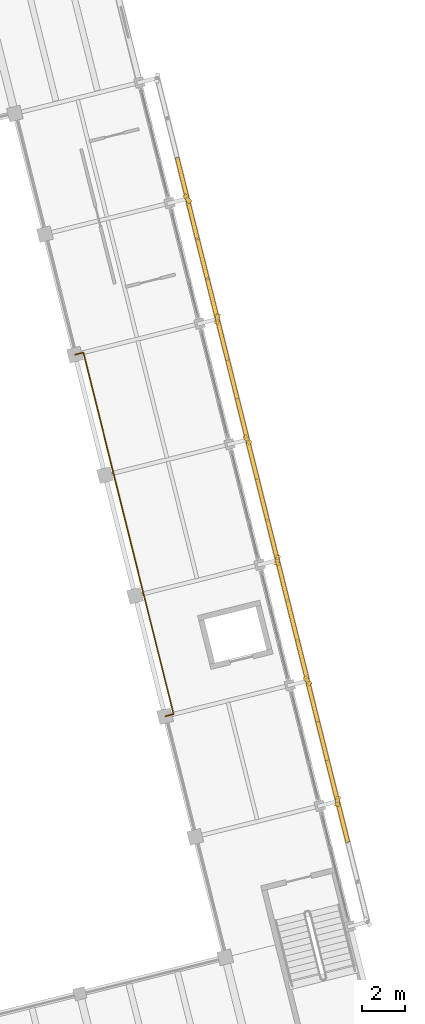
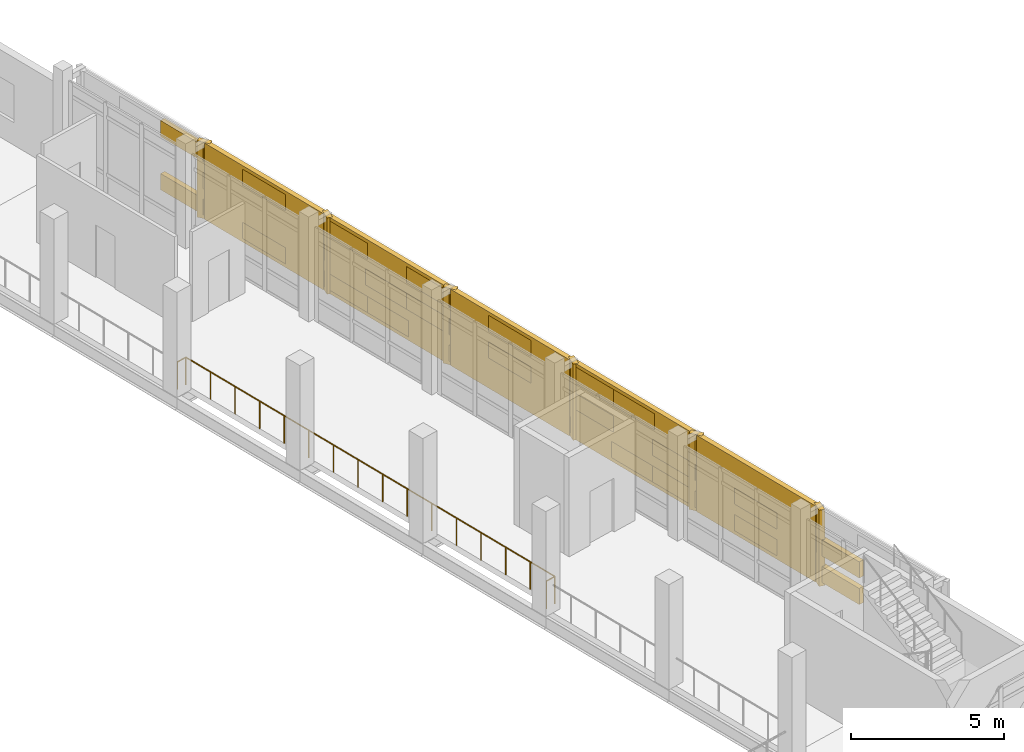
# One storey, part 124 of 137: 40 coverings, 5 shading devices, 3 railings.
"""IFC4 building model written with IfcOpenShell, lengths in metres."""

from ifc_helpers import new_model, si_unit, direction, frame, origin, origin_2d, place, context, subcontext, project, spatial, rectangle, circle, extrude, material, layer, layer_set, type_object, element, save


model = new_model("IFC4")

# Units and contexts
model_context = context("Model", 3, precision=1e-05, world=origin(), true_north=direction((0.0, 1.0)))
body_context = subcontext(model_context, "Body", "Model", "MODEL_VIEW")
ifc_project = project(units=[si_unit("LENGTHUNIT", "METRE"), si_unit("AREAUNIT", "SQUARE_METRE"), si_unit("VOLUMEUNIT", "CUBIC_METRE"), si_unit("PLANEANGLEUNIT", "RADIAN"), si_unit("MASSUNIT", "GRAM", prefix="KILO")], contexts=[model_context])

# Site, building, storey
site_placement = place(None, origin())
site = spatial("IfcSite", under=ifc_project, at=site_placement, CompositionType="ELEMENT")
building_placement = place(site_placement, origin())
building = spatial("IfcBuilding", under=site, at=building_placement, Name="Cinderway Yard Community Centre", CompositionType="ELEMENT")
storey_placement = place(building_placement, frame((0.0, 0.0, 4.800048828125)))
storey = spatial("IfcBuildingStorey", under=building, at=storey_placement, Name="L01", CompositionType="ELEMENT", Elevation=4.800048828125)

# Coverings
ifc_material_1 = material(Name="Brick Masonry", Category="masonry")
ifc_layer = layer(ifc_material_1, 0.18994140625, Name="Brick Masonry")
ifc_layer_set = layer_set([ifc_layer], Name="Brick Masonry")
covering_type = type_object("IfcCoveringType", Name="ENV-COV-BRK-SCREEN", PredefinedType="CLADDING", material=ifc_layer_set)
for number, where, z_axis, x_axis, name in (
    (1, (52.220947265625, 39.176025390625, 0.64990234375), (0.0, 0.0, 1.0), (-0.173648177667, -0.984807753012, 0.0), "Deconstructivist folded brick fin 1064"),
    (2, (50.818115234375, 44.803955078125, 0.64990234375), (0.0, 0.0, 1.0), (0.615661475326, -0.788010753607, 0.0), "Deconstructivist folded brick fin 1065"),
    (3, (49.4150390625, 50.430908203125, 0.64990234375), (0.0, 0.0, 1.0), (-0.173648177667, -0.984807753012, 0.0), "Deconstructivist folded brick fin 1066"),
    (4, (48.011962890625, 56.05908203125, 0.64990234375), (0.0, 0.0, 1.0), (0.615661475326, -0.788010753607, 0.0), "Deconstructivist folded brick fin 1067"),
    (5, (46.60888671875, 61.68701171875, 0.64990234375), (0.0, 0.0, 1.0), (-0.173648177667, -0.984807753012, 0.0), "Deconstructivist folded brick fin 1068"),
    (6, (45.2060546875, 67.31396484375, 0.64990234375), (0.0, 0.0, 1.0), (0.615661475326, -0.788010753607, 0.0), "Deconstructivist folded brick fin 1069"),
):
    element("IfcCovering", number, at=place(storey_placement, frame(where, z_axis=z_axis, x_axis=x_axis)), inside=storey, type_object=covering_type, Name=name, PredefinedType="CLADDING", context=body_context, shape_type="SweptSolid", body=[
        extrude(rectangle(XDim=0.4599609375, YDim=0.199951171875, at=origin_2d()), origin(), (0.0, 0.0, 1.0), 3.050048828125),
    ])
for number, where, z_axis, x_axis, name in (
    (7, (52.455078125, 38.238037109375, 0.7900390625), (0.0, 0.0, 1.0), (0.2419218956, -0.970295726276, 0.0), "Open-bond perforated brick screen course 01072"),
    (8, (52.455078125, 38.238037109375, 1.85205078125), (0.0, 0.0, 1.0), (0.2419218956, -0.970295726276, 0.0), "Open-bond perforated brick screen course 01074"),
    (9, (51.51904296875, 41.989990234375, 0.7900390625), (0.0, 0.0, 1.0), (0.2419218956, -0.970295726276, 0.0), "Open-bond perforated brick screen course 01077"),
    (10, (51.052001953125, 43.865966796875, 0.7900390625), (0.0, 0.0, 1.0), (0.2419218956, -0.970295726276, 0.0), "Open-bond perforated brick screen course 01078"),
    (11, (51.987060546875, 40.114013671875, 1.85205078125), (0.0, 0.0, 1.0), (0.2419218956, -0.970295726276, 0.0), "Open-bond perforated brick screen course 01079"),
    (12, (51.51904296875, 41.989990234375, 1.85205078125), (0.0, 0.0, 1.0), (0.2419218956, -0.970295726276, 0.0), "Open-bond perforated brick screen course 01080"),
    (13, (51.987060546875, 40.114013671875, 2.9140625), (0.0, 0.0, 1.0), (0.2419218956, -0.970295726276, 0.0), "Open-bond perforated brick screen course 01081"),
    (14, (51.052001953125, 43.865966796875, 2.9140625), (0.0, 0.0, 1.0), (0.2419218956, -0.970295726276, 0.0), "Open-bond perforated brick screen course 01082"),
    (15, (50.583984375, 45.741943359375, 0.7900390625), (0.0, 0.0, 1.0), (0.2419218956, -0.970295726276, 0.0), "Open-bond perforated brick screen course 01083"),
    (16, (50.116943359375, 47.616943359375, 0.7900390625), (0.0, 0.0, 1.0), (0.2419218956, -0.970295726276, 0.0), "Open-bond perforated brick screen course 01084"),
    (17, (50.583984375, 45.741943359375, 1.85205078125), (0.0, 0.0, 1.0), (0.2419218956, -0.970295726276, 0.0), "Open-bond perforated brick screen course 01085"),
    (18, (49.64892578125, 49.492919921875, 1.85205078125), (0.0, 0.0, 1.0), (0.2419218956, -0.970295726276, 0.0), "Open-bond perforated brick screen course 01086"),
    (19, (50.116943359375, 47.616943359375, 2.9140625), (0.0, 0.0, 1.0), (0.2419218956, -0.970295726276, 0.0), "Open-bond perforated brick screen course 01087"),
    (20, (49.64892578125, 49.492919921875, 2.9140625), (0.0, 0.0, 1.0), (0.2419218956, -0.970295726276, 0.0), "Open-bond perforated brick screen course 01088"),
    (21, (49.180908203125, 51.368896484375, 0.7900390625), (0.0, 0.0, 1.0), (0.2419218956, -0.970295726276, 0.0), "Open-bond perforated brick screen course 01089"),
    (22, (48.24609375, 55.12109375, 0.7900390625), (0.0, 0.0, 1.0), (0.2419218956, -0.970295726276, 0.0), "Open-bond perforated brick screen course 01090"),
    (23, (48.712890625, 53.2451171875, 1.85205078125), (0.0, 0.0, 1.0), (0.2419218956, -0.970295726276, 0.0), "Open-bond perforated brick screen course 01091"),
    (24, (48.24609375, 55.12109375, 1.85205078125), (0.0, 0.0, 1.0), (0.2419218956, -0.970295726276, 0.0), "Open-bond perforated brick screen course 01092"),
    (25, (49.180908203125, 51.368896484375, 2.9140625), (0.0, 0.0, 1.0), (0.2419218956, -0.970295726276, 0.0), "Open-bond perforated brick screen course 01093"),
    (26, (48.712890625, 53.2451171875, 2.9140625), (0.0, 0.0, 1.0), (0.2419218956, -0.970295726276, 0.0), "Open-bond perforated brick screen course 01094"),
    (27, (47.31103515625, 58.873046875, 0.7900390625), (0.0, 0.0, 1.0), (0.2419218956, -0.970295726276, 0.0), "Open-bond perforated brick screen course 01095"),
    (28, (46.843017578125, 60.7490234375, 0.7900390625), (0.0, 0.0, 1.0), (0.2419218956, -0.970295726276, 0.0), "Open-bond perforated brick screen course 01096"),
    (29, (47.778076171875, 56.9970703125, 1.85205078125), (0.0, 0.0, 1.0), (0.2419218956, -0.970295726276, 0.0), "Open-bond perforated brick screen course 01097"),
    (30, (47.31103515625, 58.873046875, 1.85205078125), (0.0, 0.0, 1.0), (0.2419218956, -0.970295726276, 0.0), "Open-bond perforated brick screen course 01098"),
    (31, (47.778076171875, 56.9970703125, 2.9140625), (0.0, 0.0, 1.0), (0.2419218956, -0.970295726276, 0.0), "Open-bond perforated brick screen course 01099"),
    (32, (46.843017578125, 60.7490234375, 2.9140625), (0.0, 0.0, 1.0), (0.2419218956, -0.970295726276, 0.0), "Open-bond perforated brick screen course 01100"),
    (33, (46.375, 62.625, 0.7900390625), (0.0, 0.0, 1.0), (0.2419218956, -0.970295726276, 0.0), "Open-bond perforated brick screen course 01101"),
    (34, (45.906982421875, 64.5, 0.7900390625), (0.0, 0.0, 1.0), (0.2419218956, -0.970295726276, 0.0), "Open-bond perforated brick screen course 01102"),
    (35, (46.375, 62.625, 1.85205078125), (0.0, 0.0, 1.0), (0.2419218956, -0.970295726276, 0.0), "Open-bond perforated brick screen course 01103"),
    (36, (45.43994140625, 66.3759765625, 1.85205078125), (0.0, 0.0, 1.0), (0.2419218956, -0.970295726276, 0.0), "Open-bond perforated brick screen course 01104"),
    (37, (45.906982421875, 64.5, 2.9140625), (0.0, 0.0, 1.0), (0.2419218956, -0.970295726276, 0.0), "Open-bond perforated brick screen course 01105"),
    (38, (45.43994140625, 66.3759765625, 2.9140625), (0.0, 0.0, 1.0), (0.2419218956, -0.970295726276, 0.0), "Open-bond perforated brick screen course 01106"),
    (39, (44.971923828125, 68.251953125, 0.7900390625), (0.0, 0.0, 1.0), (0.2419218956, -0.970295726276, 0.0), "Open-bond perforated brick screen course 01107"),
    (40, (44.971923828125, 68.251953125, 2.9140625), (0.0, 0.0, 1.0), (0.2419218956, -0.970295726276, 0.0), "Open-bond perforated brick screen course 01111"),
):
    element("IfcCovering", number, at=place(storey_placement, frame(where, z_axis=z_axis, x_axis=x_axis)), inside=storey, type_object=covering_type, Name=name, PredefinedType="CLADDING", context=body_context, shape_type="SweptSolid", body=[
        extrude(rectangle(XDim=2.012939453125, YDim=0.18994140625, at=origin_2d()), origin(), (0.0, 0.0, 1.0), 0.64599609375),
    ])

# Shading devices
shading_device_type = type_object("IfcShadingDeviceType", Name="ENV-SHD-BRICKSCREEN-B", PredefinedType="USERDEFINED", material=ifc_material_1)
shading_device_1_placement = place(storey_placement, frame((51.51904296875, 41.989990234375, 0.64990234375), z_axis=(0.0, 0.0, 1.0), x_axis=(0.2419218956, -0.970295726276, 0.0)))
element("IfcShadingDevice", 41, at=shading_device_1_placement, inside=storey, type_object=shading_device_type, Name="Main Hall Courtyard Perforated Brick Screen 0795", ObjectType="PERFORATED BRICK SCREEN", PredefinedType="USERDEFINED", context=body_context, shape_type="SweptSolid", body=[
    extrude(rectangle(XDim=5.60009765625, YDim=0.18994140625, at=origin_2d()), origin(), (0.0, 0.0, 1.0), 3.050048828125),
])
shading_device_2_placement = place(storey_placement, frame((50.116943359375, 47.616943359375, 0.64990234375), z_axis=(0.0, 0.0, 1.0), x_axis=(0.2419218956, -0.970295726276, 0.0)))
element("IfcShadingDevice", 42, at=shading_device_2_placement, inside=storey, type_object=shading_device_type, Name="Main Hall Courtyard Perforated Brick Screen 0801", ObjectType="PERFORATED BRICK SCREEN", PredefinedType="USERDEFINED", context=body_context, shape_type="SweptSolid", body=[
    extrude(rectangle(XDim=5.59912109375, YDim=0.18994140625, at=origin_2d()), origin(), (0.0, 0.0, 1.0), 3.050048828125),
])
for number, where, z_axis, x_axis, name in (
    (43, (48.712890625, 53.2451171875, 0.64990234375), (0.0, 0.0, 1.0), (0.2419218956, -0.970295726276, 0.0), "Main Hall Courtyard Perforated Brick Screen 0807"),
    (44, (47.31103515625, 58.873046875, 0.64990234375), (0.0, 0.0, 1.0), (0.2419218956, -0.970295726276, 0.0), "Main Hall Courtyard Perforated Brick Screen 0813"),
):
    element("IfcShadingDevice", number, at=place(storey_placement, frame(where, z_axis=z_axis, x_axis=x_axis)), inside=storey, type_object=shading_device_type, Name=name, ObjectType="PERFORATED BRICK SCREEN", PredefinedType="USERDEFINED", context=body_context, shape_type="SweptSolid", body=[
        extrude(rectangle(XDim=5.60009765625, YDim=0.18994140625, at=origin_2d()), origin(), (0.0, 0.0, 1.0), 3.050048828125),
    ])
shading_device_3_placement = place(storey_placement, frame((45.906982421875, 64.5, 0.64990234375), z_axis=(0.0, 0.0, 1.0), x_axis=(0.2419218956, -0.970295726276, 0.0)))
element("IfcShadingDevice", 45, at=shading_device_3_placement, inside=storey, type_object=shading_device_type, Name="Main Hall Courtyard Perforated Brick Screen 0819", ObjectType="PERFORATED BRICK SCREEN", PredefinedType="USERDEFINED", context=body_context, shape_type="SweptSolid", body=[
    extrude(rectangle(XDim=5.59912109375, YDim=0.18994140625, at=origin_2d()), origin(), (0.0, 0.0, 1.0), 3.050048828125),
])

# Railings
ifc_material_2 = material(Name="Painted Galvanised Steel", Category="steel")
railing_type = type_object("IfcRailingType", Name="INT-RAL-BAL112", PredefinedType="BALUSTRADE", material=ifc_material_2)
railing_1_placement = place(storey_placement, frame((44.19091796875, 43.15087890625, 0.0)))
element("IfcRailing", 46, at=railing_1_placement, inside=storey, type_object=railing_type, Name="Main Hall Balcony Guard L01 002", PredefinedType="BALUSTRADE", context=body_context, shape_type="SweptSolid", body=[
    extrude(circle(Radius=0.02392578125, at=origin_2d()), frame((0.0, 0.0, 1.09619140625), z_axis=(0.970293307049, 0.241931598384, 0.0), x_axis=(-0.241931598384, 0.970293307049, 0.0)), (0.0, 0.0, 1.0), 0.38037109375),
    extrude(circle(Radius=0.02099609375, at=origin_2d()), origin(), (0.0, 0.0, 1.0), 1.072021484375),
    extrude(circle(Radius=0.02099609375, at=origin_2d()), frame((0.369140625, 0.092041015625, 0.0)), (0.0, 0.0, 1.0), 1.072021484375),
])
railing_2_placement = place(storey_placement, frame((44.56005859375, 43.242919921875, 0.0)))
element("IfcRailing", 47, at=railing_2_placement, inside=storey, type_object=railing_type, Name="Main Hall Balcony Guard L01 003", PredefinedType="BALUSTRADE", context=body_context, shape_type="SweptSolid", body=[
    extrude(circle(Radius=0.02392578125, at=origin_2d()), frame((0.0, 0.0, 1.09619140625), z_axis=(-0.24195122955, 0.97028841203, 0.0), x_axis=(-0.97028841203, -0.24195122955, 0.0)), (0.0, 0.0, 1.0), 17.400146484375),
    extrude(circle(Radius=0.02099609375, at=origin_2d()), origin(), (0.0, 0.0, 1.0), 1.072021484375),
    extrude(circle(Radius=0.02099609375, at=origin_2d()), frame((-0.28076171875, 1.12548828125, 0.0)), (0.0, 0.0, 1.0), 1.072021484375),
    extrude(circle(Radius=0.02099609375, at=origin_2d()), frame((-0.561279296875, 2.2509765625, 0.0)), (0.0, 0.0, 1.0), 1.072021484375),
    extrude(circle(Radius=0.02099609375, at=origin_2d()), frame((-0.842041015625, 3.376708984375, 0.0)), (0.0, 0.0, 1.0), 1.072021484375),
    extrude(circle(Radius=0.02099609375, at=origin_2d()), frame((-1.12255859375, 4.502197265625, 0.0)), (0.0, 0.0, 1.0), 1.072021484375),
    extrude(circle(Radius=0.02099609375, at=origin_2d()), frame((-1.4033203125, 5.627685546875, 0.0)), (0.0, 0.0, 1.0), 1.072021484375),
    extrude(circle(Radius=0.02099609375, at=origin_2d()), frame((-1.68408203125, 6.753173828125, 0.0)), (0.0, 0.0, 1.0), 1.072021484375),
    extrude(circle(Radius=0.02099609375, at=origin_2d()), frame((-1.964599609375, 7.878662109375, 0.0)), (0.0, 0.0, 1.0), 1.072021484375),
    extrude(circle(Radius=0.02099609375, at=origin_2d()), frame((-2.245361328125, 9.00439453125, 0.0)), (0.0, 0.0, 1.0), 1.072021484375),
    extrude(circle(Radius=0.02099609375, at=origin_2d()), frame((-2.52587890625, 10.1298828125, 0.0)), (0.0, 0.0, 1.0), 1.072021484375),
    extrude(circle(Radius=0.02099609375, at=origin_2d()), frame((-2.806640625, 11.25537109375, 0.0)), (0.0, 0.0, 1.0), 1.072021484375),
    extrude(circle(Radius=0.02099609375, at=origin_2d()), frame((-3.08740234375, 12.380859375, 0.0)), (0.0, 0.0, 1.0), 1.072021484375),
    extrude(circle(Radius=0.02099609375, at=origin_2d()), frame((-3.367919921875, 13.50634765625, 0.0)), (0.0, 0.0, 1.0), 1.072021484375),
    extrude(circle(Radius=0.02099609375, at=origin_2d()), frame((-3.648681640625, 14.632080078125, 0.0)), (0.0, 0.0, 1.0), 1.072021484375),
    extrude(circle(Radius=0.02099609375, at=origin_2d()), frame((-3.92919921875, 15.757568359375, 0.0)), (0.0, 0.0, 1.0), 1.072021484375),
    extrude(circle(Radius=0.02099609375, at=origin_2d()), frame((-4.2099609375, 16.883056640625, 0.0)), (0.0, 0.0, 1.0), 1.072021484375),
])
railing_3_placement = place(storey_placement, frame((40.35009765625, 60.1259765625, 0.0)))
element("IfcRailing", 48, at=railing_3_placement, inside=storey, type_object=railing_type, Name="Main Hall Balcony Guard L01 004", PredefinedType="BALUSTRADE", context=body_context, shape_type="SweptSolid", body=[
    extrude(circle(Radius=0.02392578125, at=origin_2d()), frame((0.0, 0.0, 1.09619140625), z_axis=(-0.970293307049, -0.241931598384, 0.0), x_axis=(0.241931598384, -0.970293307049, 0.0)), (0.0, 0.0, 1.0), 0.38037109375),
    extrude(circle(Radius=0.02099609375, at=origin_2d()), origin(), (0.0, 0.0, 1.0), 1.072021484375),
    extrude(circle(Radius=0.02099609375, at=origin_2d()), frame((-0.369140625, -0.092041015625, 0.0)), (0.0, 0.0, 1.0), 1.072021484375),
])

save(model, "model.ifc")
